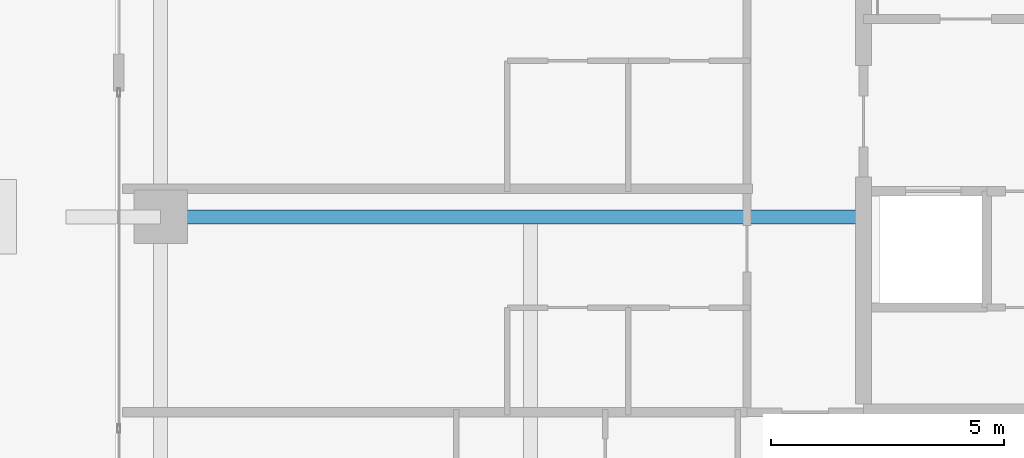
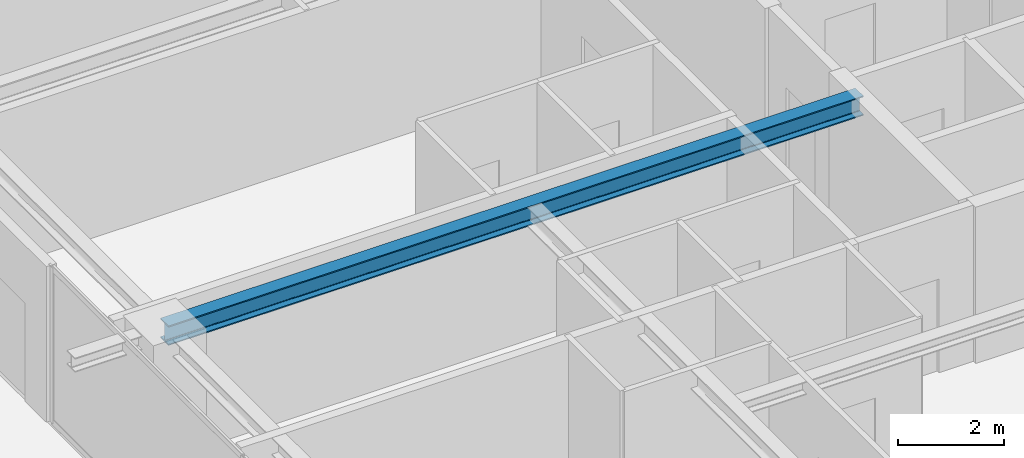
# One storey, part 9 of 36: 1 beam.
"""IFC4 building model written with IfcOpenShell, lengths in metres."""

from ifc_helpers import new_model, si_unit, direction, frame, origin, origin_2d, place, context, subcontext, project, spatial, i_section, extrude, source, transform, mapped, material, material_profile, profile_set, type_object, element, save


model = new_model("IFC4")

# Units and contexts
model_context = context("Model", 3, precision=1e-05, world=origin(), true_north=direction((0.0, 1.0)))
body_context = subcontext(model_context, "Body", "Model", "MODEL_VIEW")
ifc_project = project(units=[si_unit("LENGTHUNIT", "METRE"), si_unit("AREAUNIT", "SQUARE_METRE"), si_unit("VOLUMEUNIT", "CUBIC_METRE"), si_unit("PLANEANGLEUNIT", "RADIAN"), si_unit("MASSUNIT", "GRAM", prefix="KILO")], contexts=[model_context])

# Site, building, storey
site_placement = place(None, origin())
site = spatial("IfcSite", under=ifc_project, at=site_placement, CompositionType="ELEMENT")
building_placement = place(site_placement, origin())
building = spatial("IfcBuilding", under=site, at=building_placement, Name="Serunith Strait Residences", CompositionType="ELEMENT")
storey_placement = place(building_placement, frame((0.0, 0.0, 272.050048828125)))
storey = spatial("IfcBuildingStorey", under=building, at=storey_placement, Name="L68", CompositionType="ELEMENT", Elevation=272.050048828125)

# Beam
ifc_material = material(Name="Steel S355J2", Category="steel")
ifc_material_profile = material_profile(ifc_material, i_section(OverallWidth=0.300048828125, OverallDepth=0.449951171875, WebThickness=0.013916015625, FlangeThickness=0.02587890625, FilletRadius=0.027099609375, at=origin_2d()), Name="HEB 450")
ifc_profile_set = profile_set([ifc_material_profile], Name="Steel S355J2")
beam_type = type_object("IfcBeamType", Name="BM-HEB450", PredefinedType="BEAM", material=ifc_profile_set)
shared_shape = source(origin(), body_context, "Body", "SweptSolid", [
    extrude(i_section(OverallWidth=0.300048828125, OverallDepth=0.449951171875, WebThickness=0.013916015625, FlangeThickness=0.02587890625, FilletRadius=0.027099609375, at=origin_2d()), origin(), (0.0, 0.0, 1.0), 15.099853515625),
])
beam_placement = place(storey_placement, frame((23.39990234375, 21.0, 3.362060546875), z_axis=(-1.0, 0.0, 0.0), x_axis=(0.0, -1.0, 0.0)))
element("IfcBeam", 1, at=beam_placement, inside=storey, type_object=beam_type, Name="L68 Primary Floor Girder TC-W2", PredefinedType="BEAM", context=body_context, shape_type="MappedRepresentation", body=[
    mapped(shared_shape, transform((0.0, 0.0, 0.0), scale=1.0)),
])

save(model, "model.ifc")
